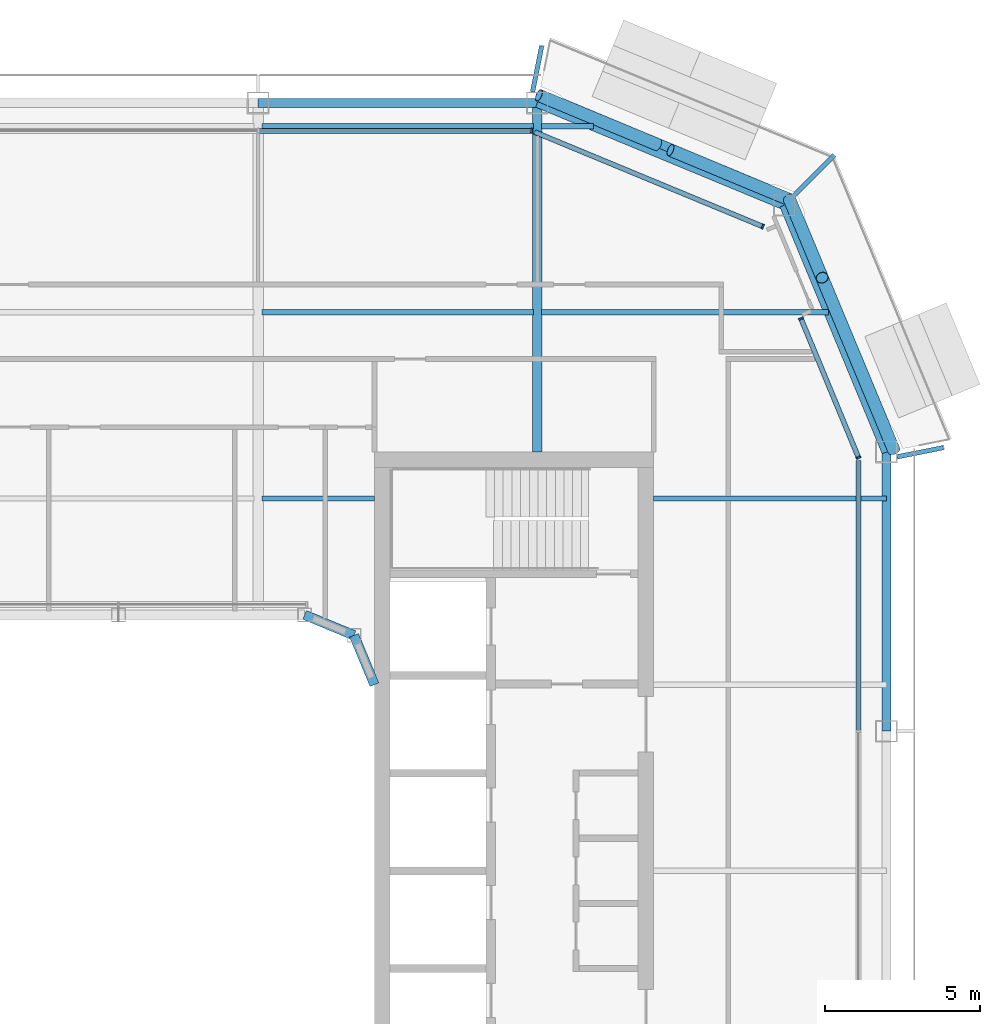
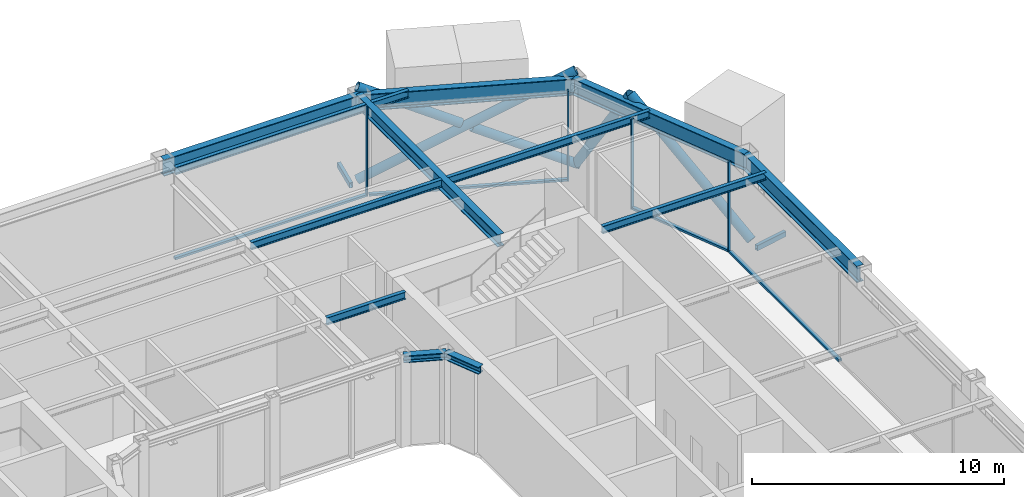
# One storey, part 9 of 21: 16 beams, 13 members, 4 elements without a shape of their own.
"""IFC4 building model written with IfcOpenShell, lengths in metres."""

from ifc_helpers import new_model, si_unit, direction, frame, origin, origin_2d, place, context, subcontext, project, spatial, rectangle, hollow_rectangle, hollow_circle, i_section, extrude, material, layer, layer_set, material_profile, profile_set, type_object, element, aggregate, save


model = new_model("IFC4")

# Units and contexts
model_context = context("Model", 3, precision=1e-05, world=origin(), true_north=direction((0.0, 1.0)))
body_context = subcontext(model_context, "Body", "Model", "MODEL_VIEW")
ifc_project = project(units=[si_unit("LENGTHUNIT", "METRE"), si_unit("AREAUNIT", "SQUARE_METRE"), si_unit("VOLUMEUNIT", "CUBIC_METRE"), si_unit("PLANEANGLEUNIT", "RADIAN"), si_unit("MASSUNIT", "GRAM", prefix="KILO")], contexts=[model_context])

# Site, building, storey
site_placement = place(None, origin())
site = spatial("IfcSite", under=ifc_project, at=site_placement, CompositionType="ELEMENT")
building_placement = place(site_placement, origin())
building = spatial("IfcBuilding", under=site, at=building_placement, Name="Siwar Civic Tower", CompositionType="ELEMENT")
storey_placement = place(building_placement, frame((0.0, 0.0, 325.699951171875)))
storey = spatial("IfcBuildingStorey", under=building, at=storey_placement, Name="L70", CompositionType="ELEMENT", Elevation=325.699951171875)

# Beams
ifc_material_1 = material(Name="Steel S355", Category="steel")
ifc_material_profile_1 = material_profile(ifc_material_1, hollow_rectangle(XDim=0.14990234375, YDim=0.25, WallThickness=0.010009765625, at=origin_2d()), Name="RHS250x150x10")
ifc_profile_set_1 = profile_set([ifc_material_profile_1], Name="Steel S355")
beam_type_1 = type_object("IfcBeamType", Name="ENV-BALCONY ARM", PredefinedType="BEAM", material=ifc_profile_set_1)
beam_1_placement = place(storey_placement, frame((25.10009765625, 13.34521484375, -0.27490234375), z_axis=(0.980778646446, 0.195123670207, 0.0), x_axis=(-0.195123670207, 0.980778646446, 0.0)))
element("IfcBeam", 1, at=beam_1_placement, inside=storey, type_object=beam_type_1, Name="Balcony cantilever beam NE 1", PredefinedType="BEAM", context=body_context, shape_type="SweptSolid", body=[
    extrude(hollow_rectangle(XDim=0.14990234375, YDim=0.25, WallThickness=0.010009765625, at=origin_2d()), origin(), (0.0, 0.0, 1.0), 1.513916015625),
])
beam_2_placement = place(storey_placement, frame((21.76953125, 21.76953125, -0.27490234375), z_axis=(0.707106781187, 0.707106781187, 0.0), x_axis=(-0.707106781187, 0.707106781187, 0.0)))
element("IfcBeam", 2, at=beam_2_placement, inside=storey, type_object=beam_type_1, Name="Balcony cantilever beam NE 2", PredefinedType="BEAM", context=body_context, shape_type="SweptSolid", body=[
    extrude(hollow_rectangle(XDim=0.14990234375, YDim=0.25, WallThickness=0.010009765625, at=origin_2d()), origin(), (0.0, 0.0, 1.0), 1.828125),
])
beam_3_placement = place(storey_placement, frame((13.34521484375, 25.10009765625, -0.27490234375), z_axis=(0.195123670207, 0.980778646446, 0.0), x_axis=(-0.980778646446, 0.195123670207, 0.0)))
element("IfcBeam", 3, at=beam_3_placement, inside=storey, type_object=beam_type_1, Name="Balcony cantilever beam NE 3", PredefinedType="BEAM", context=body_context, shape_type="SweptSolid", body=[
    extrude(hollow_rectangle(XDim=0.14990234375, YDim=0.25, WallThickness=0.010009765625, at=origin_2d()), origin(), (0.0, 0.0, 1.0), 1.513916015625),
])

# Curtain wall, members
ifc_material_2 = material(Name="Aluminium clad insulated panel", Category="aluminium")
ifc_layer_1 = layer(ifc_material_2, 0.159912109375)
ifc_layer_set_1 = layer_set([ifc_layer_1], Name="Aluminium clad insulated panel")
curtain_wall_type_1 = type_object("IfcCurtainWallType", Name="ENV-CW-DX", PredefinedType="NOTDEFINED", material=ifc_layer_set_1)
curtain_wall_1_placement = place(storey_placement, origin())
curtain_wall_1 = element("IfcCurtainWall", 4, at=curtain_wall_1_placement, inside=storey, type_object=curtain_wall_type_1, Name="Curtain wall D NE1", PredefinedType="NOTDEFINED")
ifc_material_3 = material(Name="Aluminium 6063-T6", Category="aluminium")
ifc_material_profile_2 = material_profile(ifc_material_3, rectangle(XDim=0.159912109375, YDim=0.06005859375, at=origin_2d()), Name="AL 160x60")
ifc_profile_set_2 = profile_set([ifc_material_profile_2], Name="Aluminium 6063-T6")
member_type_1 = type_object("IfcMemberType", Name="ENV-MULLION-D", PredefinedType="MULLION", material=ifc_profile_set_2)
member_1_placement = place(storey_placement, frame((23.85009765625, 13.321044921875, 0.0), z_axis=(0.0, 0.0, 1.0), x_axis=(-0.923879532511, -0.382683432365, 0.0)))
member_1 = element("IfcMember", 5, at=member_1_placement, type_object=member_type_1, Name="Mullion D NE1 1", PredefinedType="MULLION", context=body_context, shape_type="SweptSolid", body=[
    extrude(rectangle(XDim=0.159912109375, YDim=0.06005859375, at=origin_2d()), origin(), (0.0, 0.0, 1.0), 4.35009765625),
])
member_2_placement = place(storey_placement, frame((21.9951171875, 17.799072265625, 0.0), z_axis=(0.0, 0.0, 1.0), x_axis=(-0.923879532511, -0.382683432365, 0.0)))
member_2 = element("IfcMember", 6, at=member_2_placement, type_object=member_type_1, Name="Mullion D NE1 2", PredefinedType="MULLION", context=body_context, shape_type="SweptSolid", body=[
    extrude(rectangle(XDim=0.159912109375, YDim=0.06005859375, at=origin_2d()), origin(), (0.0, 0.0, 1.0), 4.35009765625),
])

# Curtain wall, member
curtain_wall_2_placement = place(storey_placement, origin())
curtain_wall_2 = element("IfcCurtainWall", 7, at=curtain_wall_2_placement, inside=storey, type_object=curtain_wall_type_1, Name="Curtain wall D NE2", PredefinedType="NOTDEFINED")
member_3_placement = place(storey_placement, frame((20.76611328125, 20.76611328125, 0.0), z_axis=(0.0, 0.0, 1.0), x_axis=(-0.382683432365, -0.923879532511, 0.0)))
member_3 = element("IfcMember", 8, at=member_3_placement, type_object=member_type_1, Name="Mullion D NE2 1", PredefinedType="MULLION", context=body_context, shape_type="SweptSolid", body=[
    extrude(rectangle(XDim=0.159912109375, YDim=0.06005859375, at=origin_2d()), origin(), (0.0, 0.0, 1.0), 4.35009765625),
])

ifc_material_4 = material(Name="Aluminium and glass", Category="aluminium")
ifc_layer_2 = layer(ifc_material_4, 0.159912109375)
ifc_layer_set_2 = layer_set([ifc_layer_2], Name="Aluminium and glass")
curtain_wall_type_2 = type_object("IfcCurtainWallType", Name="ENV-CW-D", PredefinedType="NOTDEFINED", material=ifc_layer_set_2)
curtain_wall_3_placement = place(storey_placement, origin())
curtain_wall_3 = element("IfcCurtainWall", 9, at=curtain_wall_3_placement, inside=storey, type_object=curtain_wall_type_2, Name="Curtain wall D N", PredefinedType="NOTDEFINED")
member_4_placement = place(storey_placement, frame((13.321044921875, 23.85009765625, 0.0), z_axis=(0.0, 0.0, 1.0), x_axis=(0.0, -1.0, 0.0)))
member_4 = element("IfcMember", 10, at=member_4_placement, type_object=member_type_1, Name="Mullion D N 1", PredefinedType="MULLION", context=body_context, shape_type="SweptSolid", body=[
    extrude(rectangle(XDim=0.159912109375, YDim=0.06005859375, at=origin_2d()), origin(), (0.0, 0.0, 1.0), 4.35009765625),
])

curtain_wall_4_placement = place(storey_placement, origin())
curtain_wall_4 = element("IfcCurtainWall", 11, at=curtain_wall_4_placement, inside=storey, type_object=curtain_wall_type_2, Name="Curtain wall D E", PredefinedType="NOTDEFINED")
ifc_material_5 = material(Name="Aluminium 6063-T6", Category="aluminium")
ifc_material_profile_3 = material_profile(ifc_material_5, rectangle(XDim=0.159912109375, YDim=0.10009765625, at=origin_2d()), Name="AL 160x100")
ifc_profile_set_3 = profile_set([ifc_material_profile_3], Name="Aluminium 6063-T6")
member_type_2 = type_object("IfcMemberType", Name="ENV-TRANSOM-D", PredefinedType="USERDEFINED", material=ifc_profile_set_3)
member_5_placement = place(storey_placement, frame((23.85009765625, 4.530029296875, 0.050048828125), z_axis=(0.0, 1.0, 0.0), x_axis=(-1.0, 0.0, 0.0)))
member_5 = element("IfcMember", 12, at=member_5_placement, type_object=member_type_2, Name="Transom D E 3", ObjectType="TRANSOM", PredefinedType="USERDEFINED", context=body_context, shape_type="SweptSolid", body=[
    extrude(rectangle(XDim=0.159912109375, YDim=0.10009765625, at=origin_2d()), origin(), (0.0, 0.0, 1.0), 8.693115234375),
])
aggregate(curtain_wall_4, [member_5])

# Member
member_6_placement = place(storey_placement, frame((23.838623046875, 13.3486328125, 0.050048828125), z_axis=(-0.382688094537, 0.923877601363, 0.0), x_axis=(-0.923877601363, -0.382688094537, 0.0)))
member_6 = element("IfcMember", 13, at=member_6_placement, type_object=member_type_2, Name="Transom D NE1 1", ObjectType="TRANSOM", PredefinedType="USERDEFINED", context=body_context, shape_type="SweptSolid", body=[
    extrude(rectangle(XDim=0.159912109375, YDim=0.10009765625, at=origin_2d()), origin(), (0.0, 0.0, 1.0), 4.787353515625),
])

aggregate(curtain_wall_1, [member_1, member_2, member_6])

member_7_placement = place(storey_placement, frame((20.738525390625, 20.777587890625, 0.050048828125), z_axis=(-0.923883640343, 0.382673515031, 0.0), x_axis=(-0.382673515031, -0.923883640343, 0.0)))
member_7 = element("IfcMember", 14, at=member_7_placement, type_object=member_type_2, Name="Transom D NE2 1", ObjectType="TRANSOM", PredefinedType="USERDEFINED", context=body_context, shape_type="SweptSolid", body=[
    extrude(rectangle(XDim=0.159912109375, YDim=0.10009765625, at=origin_2d()), origin(), (0.0, 0.0, 1.0), 7.930908203125),
])

aggregate(curtain_wall_2, [member_3, member_7])

member_8_placement = place(storey_placement, frame((13.291015625, 23.85009765625, 0.050048828125), z_axis=(-1.0, 0.0, 0.0), x_axis=(0.0, -1.0, 0.0)))
member_8 = element("IfcMember", 15, at=member_8_placement, type_object=member_type_2, Name="Transom D N 1", ObjectType="TRANSOM", PredefinedType="USERDEFINED", context=body_context, shape_type="SweptSolid", body=[
    extrude(rectangle(XDim=0.159912109375, YDim=0.10009765625, at=origin_2d()), origin(), (0.0, 0.0, 1.0), 8.760986328125),
])

aggregate(curtain_wall_3, [member_4, member_8])

# Members
ifc_material_6 = material(Name="Steel S355", Category="steel")
ifc_material_profile_4 = material_profile(ifc_material_6, hollow_circle(Radius=0.203125, WallThickness=0.01611328125, at=origin_2d()), Name="CHS406.4x16")
ifc_profile_set_4 = profile_set([ifc_material_profile_4], Name="Steel S355")
member_type_3 = type_object("IfcMemberType", Name="STR-BR-CHS406.4x16", PredefinedType="BRACE", material=ifc_profile_set_4)
member_9_placement = place(storey_placement, frame((13.548828125, 24.9951171875, 0.0), z_axis=(0.821142553604, -0.341671493852, 0.457149315816), x_axis=(0.384163874976, 0.923264922524, 0.0)))
element("IfcMember", 16, at=member_9_placement, inside=storey, type_object=member_type_3, Name="L70/brc/DNE1-9-0-1", PredefinedType="BRACE", context=body_context, shape_type="SweptSolid", body=[
    extrude(hollow_circle(Radius=0.203125, WallThickness=0.01611328125, at=origin_2d()), origin(), (0.0, 0.0, 1.0), 9.843505859375),
])
member_10_placement = place(storey_placement, frame((21.6318359375, 21.6318359375, 0.0), z_axis=(-0.821147096886, 0.341644380467, 0.457161418507), x_axis=(-0.38413607648, -0.923276488787, 0.0)))
element("IfcMember", 17, at=member_10_placement, inside=storey, type_object=member_type_3, Name="L70/brc/DNE1-9-0-2", PredefinedType="BRACE", context=body_context, shape_type="SweptSolid", body=[
    extrude(hollow_circle(Radius=0.203125, WallThickness=0.01611328125, at=origin_2d()), origin(), (0.0, 0.0, 1.0), 4.677001953125),
])
member_11_placement = place(storey_placement, frame((17.38916015625, 23.397216796875, 2.362060546875), z_axis=(-0.821149689876, 0.341667178655, 0.457139722456), x_axis=(-0.384156893273, -0.923267827529, 0.0)))
element("IfcMember", 18, at=member_11_placement, inside=storey, type_object=member_type_3, Name="L70/brc/DNE1-9-0-3", PredefinedType="BRACE", context=body_context, shape_type="SweptSolid", body=[
    extrude(hollow_circle(Radius=0.203125, WallThickness=0.01611328125, at=origin_2d()), origin(), (0.0, 0.0, 1.0), 4.6767578125),
])
member_12_placement = place(storey_placement, frame((24.9951171875, 13.548828125, 0.0), z_axis=(-0.307903068035, 0.739973158344, 0.598026275029), x_axis=(-0.923262455747, -0.384169803352, 0.0)))
element("IfcMember", 19, at=member_12_placement, inside=storey, type_object=member_type_3, Name="L70/brc/DNE1-9-0-0", PredefinedType="BRACE", context=body_context, shape_type="SweptSolid", body=[
    extrude(hollow_circle(Radius=0.203125, WallThickness=0.01611328125, at=origin_2d()), origin(), (0.0, 0.0, 1.0), 7.524658203125),
])
member_13_placement = place(storey_placement, frame((21.6318359375, 21.6318359375, 0.0), z_axis=(0.198925611165, -0.478099094869, 0.855482236349), x_axis=(0.92327038402, 0.384150749045, 0.0)))
element("IfcMember", 20, at=member_13_placement, inside=storey, type_object=member_type_3, Name="L70/brc/DNE1-9-0-6", PredefinedType="BRACE", context=body_context, shape_type="SweptSolid", body=[
    extrude(hollow_circle(Radius=0.203125, WallThickness=0.01611328125, at=origin_2d()), origin(), (0.0, 0.0, 1.0), 5.26025390625),
])

# Beams
ifc_material_7 = material(Name="Steel S355", Category="steel")
ifc_material_profile_5 = material_profile(ifc_material_7, i_section(OverallWidth=0.169921875, OverallDepth=0.360107421875, WebThickness=0.008056640625, FlangeThickness=0.0126953125, FilletRadius=0.01806640625, at=origin_2d()), Name="IPE360")
ifc_profile_set_5 = profile_set([ifc_material_profile_5], Name="Steel S355")
beam_type_2 = type_object("IfcBeamType", Name="STR-FB-IPE360", PredefinedType="JOIST", material=ifc_profile_set_5)
beam_4_placement = place(storey_placement, frame((4.6298828125, 12.0, 4.170166015625), z_axis=(1.0, 0.0, 0.0), x_axis=(0.0, 1.0, 0.0)))
element("IfcBeam", 21, at=beam_4_placement, inside=storey, type_object=beam_type_2, Name="L70/bm/F025", PredefinedType="JOIST", context=body_context, shape_type="SweptSolid", body=[
    extrude(i_section(OverallWidth=0.169921875, OverallDepth=0.360107421875, WebThickness=0.008056640625, FlangeThickness=0.0126953125, FilletRadius=0.01806640625, at=origin_2d()), origin(), (0.0, 0.0, 1.0), 3.6201171875),
])
beam_5_placement = place(storey_placement, frame((17.25, 12.0, 4.170166015625), z_axis=(1.0, 0.0, 0.0), x_axis=(0.0, 1.0, 0.0)))
element("IfcBeam", 22, at=beam_5_placement, inside=storey, type_object=beam_type_2, Name="L70/bm/F026", PredefinedType="JOIST", context=body_context, shape_type="SweptSolid", body=[
    extrude(i_section(OverallWidth=0.169921875, OverallDepth=0.360107421875, WebThickness=0.008056640625, FlangeThickness=0.0126953125, FilletRadius=0.01806640625, at=origin_2d()), origin(), (0.0, 0.0, 1.0), 7.5),
])
beam_6_placement = place(storey_placement, frame((4.6298828125, 18.0, 4.170166015625), z_axis=(1.0, 0.0, 0.0), x_axis=(0.0, 1.0, 0.0)))
element("IfcBeam", 23, at=beam_6_placement, inside=storey, type_object=beam_type_2, Name="L70/bm/F030", PredefinedType="JOIST", context=body_context, shape_type="SweptSolid", body=[
    extrude(i_section(OverallWidth=0.169921875, OverallDepth=0.360107421875, WebThickness=0.008056640625, FlangeThickness=0.0126953125, FilletRadius=0.01806640625, at=origin_2d()), origin(), (0.0, 0.0, 1.0), 8.740234375),
])
beam_7_placement = place(storey_placement, frame((13.6298828125, 18.0, 4.170166015625), z_axis=(1.0, 0.0, 0.0), x_axis=(0.0, 1.0, 0.0)))
element("IfcBeam", 24, at=beam_7_placement, inside=storey, type_object=beam_type_2, Name="L70/bm/F031", PredefinedType="JOIST", context=body_context, shape_type="SweptSolid", body=[
    extrude(i_section(OverallWidth=0.169921875, OverallDepth=0.360107421875, WebThickness=0.008056640625, FlangeThickness=0.0126953125, FilletRadius=0.01806640625, at=origin_2d()), origin(), (0.0, 0.0, 1.0), 9.256103515625),
])
beam_8_placement = place(storey_placement, frame((4.6298828125, 24.0, 4.170166015625), z_axis=(1.0, 0.0, 0.0), x_axis=(0.0, 1.0, 0.0)))
element("IfcBeam", 25, at=beam_8_placement, inside=storey, type_object=beam_type_2, Name="L70/bm/F035", PredefinedType="JOIST", context=body_context, shape_type="SweptSolid", body=[
    extrude(i_section(OverallWidth=0.169921875, OverallDepth=0.360107421875, WebThickness=0.008056640625, FlangeThickness=0.0126953125, FilletRadius=0.01806640625, at=origin_2d()), origin(), (0.0, 0.0, 1.0), 8.740234375),
])
beam_9_placement = place(storey_placement, frame((13.6298828125, 24.0, 4.170166015625), z_axis=(1.0, 0.0, 0.0), x_axis=(0.0, 1.0, 0.0)))
element("IfcBeam", 26, at=beam_9_placement, inside=storey, type_object=beam_type_2, Name="L70/bm/F036", PredefinedType="JOIST", context=body_context, shape_type="SweptSolid", body=[
    extrude(i_section(OverallWidth=0.169921875, OverallDepth=0.360107421875, WebThickness=0.008056640625, FlangeThickness=0.0126953125, FilletRadius=0.01806640625, at=origin_2d()), origin(), (0.0, 0.0, 1.0), 1.6806640625),
])
ifc_material_8 = material(Name="Steel S355", Category="steel")
ifc_material_profile_6 = material_profile(ifc_material_8, i_section(OverallWidth=0.300048828125, OverallDepth=0.60009765625, WebThickness=0.015380859375, FlangeThickness=0.030029296875, FilletRadius=0.027099609375, at=origin_2d()), Name="HEB600")
ifc_profile_set_6 = profile_set([ifc_material_profile_6], Name="Steel S355")
beam_type_3 = type_object("IfcBeamType", Name="STR-PG-HEB600", PredefinedType="BEAM", material=ifc_profile_set_6)
beam_10_placement = place(storey_placement, frame((13.5, 13.5, 4.050048828125), z_axis=(0.0, 1.0, 0.0), x_axis=(-1.0, 0.0, 0.0)))
element("IfcBeam", 27, at=beam_10_placement, inside=storey, type_object=beam_type_3, Name="L70/bm/G08", PredefinedType="BEAM", context=body_context, shape_type="SweptSolid", body=[
    extrude(i_section(OverallWidth=0.300048828125, OverallDepth=0.60009765625, WebThickness=0.015380859375, FlangeThickness=0.030029296875, FilletRadius=0.027099609375, at=origin_2d()), origin(), (0.0, 0.0, 1.0), 11.25),
])
ifc_material_9 = material(Name="Steel S355", Category="steel")
ifc_material_profile_7 = material_profile(ifc_material_9, i_section(OverallWidth=0.31005859375, OverallDepth=0.340087890625, WebThickness=0.02099609375, FlangeThickness=0.0390625, FilletRadius=0.027099609375, at=origin_2d()), Name="HEM300")
ifc_profile_set_7 = profile_set([ifc_material_profile_7], Name="Steel S355")
beam_type_4 = type_object("IfcBeamType", Name="STR-RB-HEM300", PredefinedType="BEAM", material=ifc_profile_set_7)
for number, where, z_axis, x_axis, name in (
    (28, (6.0, 8.25, 4.179931640625), (0.923901072997, -0.382631424892, 0.0), (0.382631424892, 0.923901072997, 0.0), "L70/bm/RN3"),
    (29, (7.591064453125, 7.591064453125, 4.179931640625), (0.382631424892, -0.923901072997, 0.0), (0.923901072997, 0.382631424892, 0.0), "L70/bm/RNEE"),
):
    element("IfcBeam", number, at=place(storey_placement, frame(where, z_axis=z_axis, x_axis=x_axis)), inside=storey, type_object=beam_type_4, Name=name, PredefinedType="BEAM", context=body_context, shape_type="SweptSolid", body=[
        extrude(i_section(OverallWidth=0.31005859375, OverallDepth=0.340087890625, WebThickness=0.02099609375, FlangeThickness=0.0390625, FilletRadius=0.027099609375, at=origin_2d()), origin(), (0.0, 0.0, 1.0), 1.72216796875),
    ])
ifc_material_10 = material(Name="Steel S355", Category="steel")
ifc_material_profile_8 = material_profile(ifc_material_10, i_section(OverallWidth=0.300048828125, OverallDepth=0.800048828125, WebThickness=0.017578125, FlangeThickness=0.032958984375, FilletRadius=0.030029296875, at=origin_2d()), Name="HEB800")
ifc_profile_set_8 = profile_set([ifc_material_profile_8], Name="Steel S355")
beam_type_5 = type_object("IfcBeamType", Name="STR-SB-HEB800", PredefinedType="BEAM", material=ifc_profile_set_8)
beam_11_placement = place(storey_placement, frame((24.75, 4.5, 3.949951171875), z_axis=(0.0, 1.0, 0.0), x_axis=(-1.0, 0.0, 0.0)))
element("IfcBeam", 30, at=beam_11_placement, inside=storey, type_object=beam_type_5, Name="L70/bm/SE-2", PredefinedType="BEAM", context=body_context, shape_type="SweptSolid", body=[
    extrude(i_section(OverallWidth=0.300048828125, OverallDepth=0.800048828125, WebThickness=0.017578125, FlangeThickness=0.032958984375, FilletRadius=0.030029296875, at=origin_2d()), origin(), (0.0, 0.0, 1.0), 9.0),
])
for number, where, z_axis, x_axis, name in (
    (31, (24.75, 13.5, 3.949951171875), (-0.382699877515, 0.923872720536, 0.0), (-0.923872720536, -0.382699877515, 0.0), "L70/bm/SNE1-0"),
    (32, (21.454833984375, 21.454833984375, 3.949951171875), (-0.923872720536, 0.382699877515, 0.0), (-0.382699877515, -0.923872720536, 0.0), "L70/bm/SNE2-0"),
):
    element("IfcBeam", number, at=place(storey_placement, frame(where, z_axis=z_axis, x_axis=x_axis)), inside=storey, type_object=beam_type_5, Name=name, PredefinedType="BEAM", context=body_context, shape_type="SweptSolid", body=[
        extrude(i_section(OverallWidth=0.300048828125, OverallDepth=0.800048828125, WebThickness=0.017578125, FlangeThickness=0.032958984375, FilletRadius=0.030029296875, at=origin_2d()), origin(), (0.0, 0.0, 1.0), 8.6103515625),
    ])
beam_12_placement = place(storey_placement, frame((13.5, 24.75, 3.949951171875), z_axis=(-1.0, 0.0, 0.0), x_axis=(0.0, -1.0, 0.0)))
element("IfcBeam", 33, at=beam_12_placement, inside=storey, type_object=beam_type_5, Name="L70/bm/SN-0", PredefinedType="BEAM", context=body_context, shape_type="SweptSolid", body=[
    extrude(i_section(OverallWidth=0.300048828125, OverallDepth=0.800048828125, WebThickness=0.017578125, FlangeThickness=0.032958984375, FilletRadius=0.030029296875, at=origin_2d()), origin(), (0.0, 0.0, 1.0), 9.0),
])

save(model, "model.ifc")
